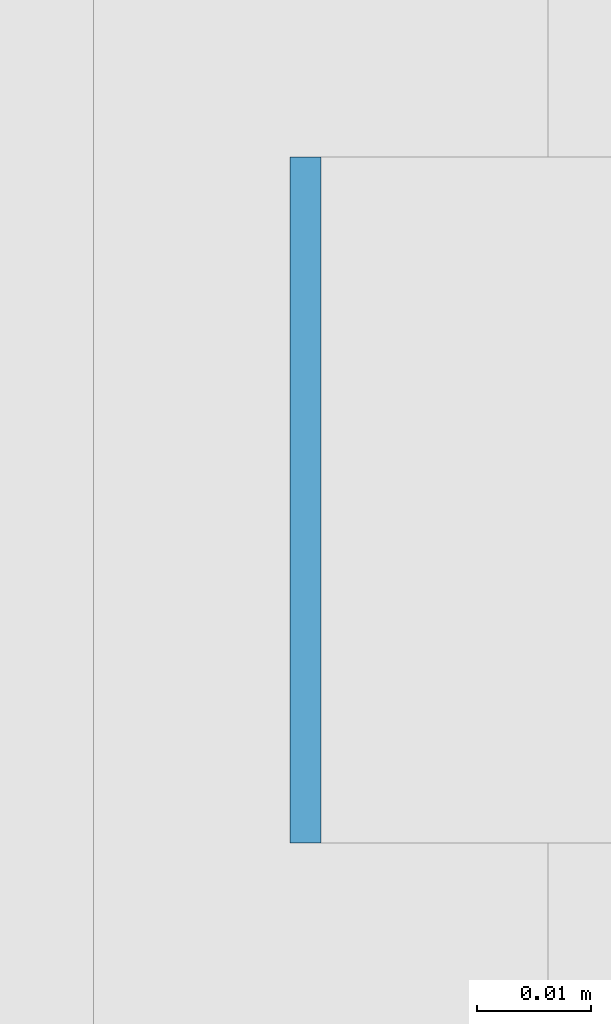
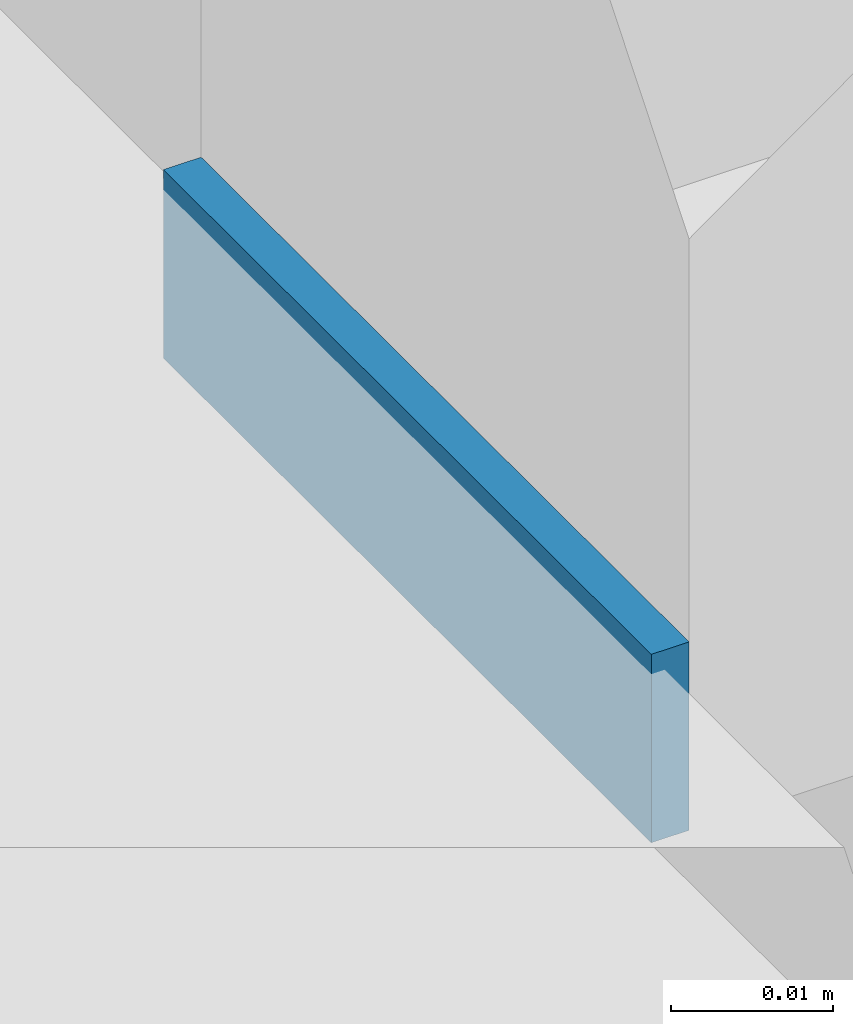
# One storey, part 436 of 646: 1 discrete accessory.
"""IFC4 building model written with IfcOpenShell, lengths in metres."""

from ifc_helpers import new_model, si_unit, direction, frame, origin, origin_2d, place, context, subcontext, project, spatial, rectangle, extrude, material, type_object, element, save


model = new_model("IFC4")

# Units and contexts
model_context = context("Model", 3, precision=1e-05, world=origin(), true_north=direction((0.0, 1.0)))
body_context = subcontext(model_context, "Body", "Model", "MODEL_VIEW")
ifc_project = project(units=[si_unit("LENGTHUNIT", "METRE"), si_unit("AREAUNIT", "SQUARE_METRE"), si_unit("VOLUMEUNIT", "CUBIC_METRE"), si_unit("PLANEANGLEUNIT", "RADIAN"), si_unit("MASSUNIT", "GRAM", prefix="KILO")], contexts=[model_context])

# Site, building, storey
site_placement = place(None, origin())
site = spatial("IfcSite", under=ifc_project, at=site_placement, CompositionType="ELEMENT")
building_placement = place(site_placement, origin())
building = spatial("IfcBuilding", under=site, at=building_placement, Name="Silverbay Arena", CompositionType="ELEMENT")
storey_placement = place(building_placement, frame((0.0, 0.0, 33.5)))
storey = spatial("IfcBuildingStorey", under=building, at=storey_placement, Name="L05", CompositionType="ELEMENT", Elevation=33.5)

# Discrete accessory
ifc_material = material(Name="Steel S355", Category="steel")
discrete_accessory_type = type_object("IfcDiscreteAccessoryType", Name="Steel bracket plate", PredefinedType="BRACKET", material=ifc_material)
discrete_accessory_placement = place(storey_placement, frame((207.128662109375, 30.2666015625, 4.0), z_axis=(0.0, 0.0, 1.0), x_axis=(1.0, 0.0, 0.0)))
element("IfcDiscreteAccessory", 1, at=discrete_accessory_placement, inside=storey, type_object=discrete_accessory_type, Name="Curtain wall packing plate", PredefinedType="BRACKET", context=body_context, shape_type="SweptSolid", body=[
    extrude(rectangle(XDim=0.002685546875, YDim=0.06005859375, at=origin_2d()), origin(), (0.0, 0.0, 1.0), 0.01416015625),
])

save(model, "model.ifc")
